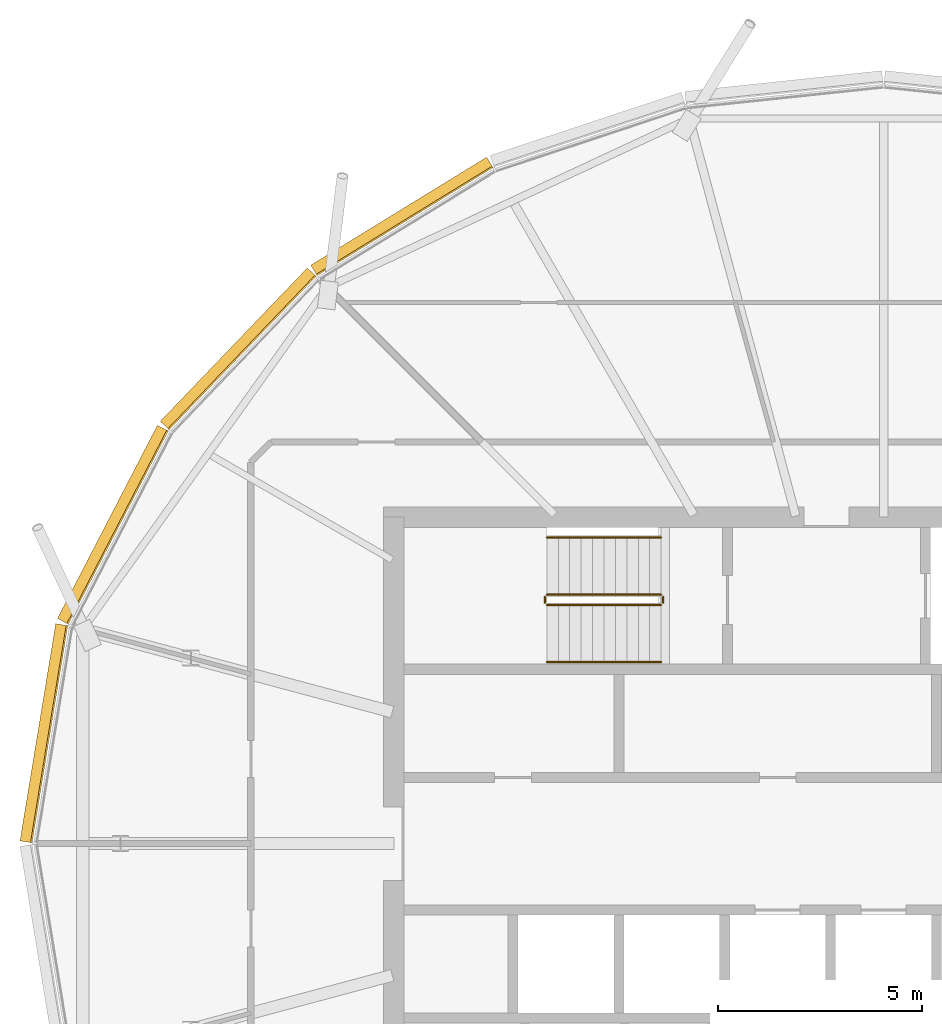
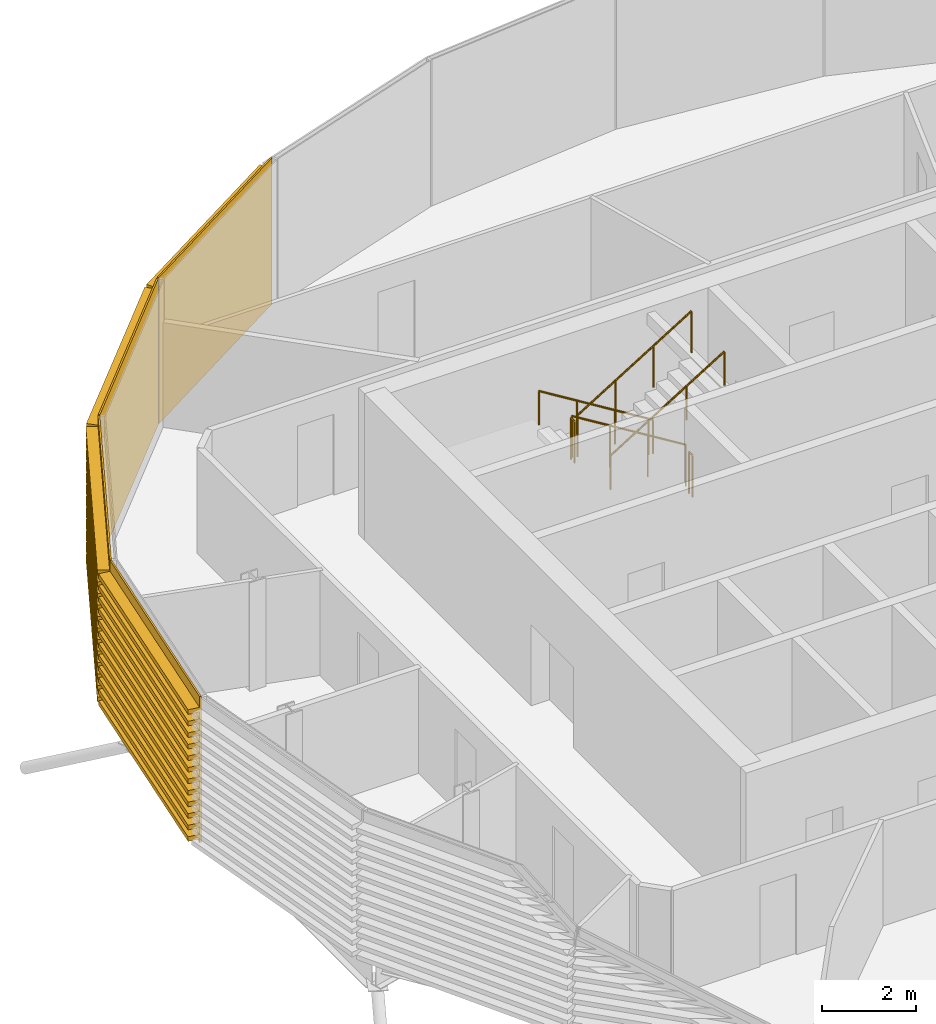
# One storey, part 32 of 35: 6 railings, 4 coverings.
"""IFC4 building model written with IfcOpenShell, lengths in metres."""

import ifcopenshell
import ifcopenshell.guid

model = None  # the IFC model being written
_history = None  # IfcOwnerHistory: only IFC2X3 demands one
_inside = {}  # id of a spatial element -> (the spatial element, [elements in it])
_under = {}  # id of a project, library or spatial element -> (it, [spatial elements below it])
_declared = {}  # id of a project -> (the project, [libraries it declares])
_typed = {}  # id of a type object -> (the type object, [elements of that type])
_made_of = {}  # id of a material, layer set ... -> (it, [elements and type objects made of it])


def new_model(schema):
    """Start an empty IFC model of exactly this schema.

    Asked for "IFC4X3", IfcOpenShell would pick the latest addendum, in which some entities
    have other attributes; the version numbers below select the first issue.
    IFC2X3 requires an IfcOwnerHistory on every rooted entity: one is made here for all.
    """
    global model, _history
    if schema == "IFC4X3":
        model = ifcopenshell.file(schema_version=(4, 3, 0, 0))
    else:
        model = ifcopenshell.file(schema=schema)
    _inside.clear()
    _under.clear()
    _declared.clear()
    _typed.clear()
    _made_of.clear()
    _history = None
    if model.schema == "IFC2X3":
        org = make("IfcOrganization", Name="unknown")
        user = make(
            "IfcPersonAndOrganization",
            ThePerson=make("IfcPerson", FamilyName="unknown"),
            TheOrganization=org,
        )
        app = make(
            "IfcApplication",
            ApplicationDeveloper=org,
            Version="unknown",
            ApplicationFullName="unknown",
            ApplicationIdentifier="unknown",
        )
        _history = make(
            "IfcOwnerHistory",
            OwningUser=user,
            OwningApplication=app,
            ChangeAction="ADDED",
            CreationDate=0,
        )
    return model


def make(cls, **values):
    """One entity of the class cls with the attributes given. An attribute that is None is left unset."""
    return model.create_entity(
        cls, **{name: value for name, value in values.items() if value is not None}
    )


def rooted(cls, **values):
    """An entity with a GlobalId (a new one), such as an element, a storey or a relation."""
    return make(cls, GlobalId=ifcopenshell.guid.new(), OwnerHistory=_history, **values)


def si_unit(unit_type, name, prefix=None):
    """IfcSIUnit, for example si_unit("LENGTHUNIT", "METRE", prefix="MILLI")."""
    return make("IfcSIUnit", UnitType=unit_type, Prefix=prefix, Name=name)


def assignment(units):
    """IfcUnitAssignment: the units of a project."""
    return None if units is None else make("IfcUnitAssignment", Units=units)


def point(xyz):
    """IfcCartesianPoint."""
    return None if xyz is None else make("IfcCartesianPoint", Coordinates=xyz)


def direction(xyz):
    """IfcDirection."""
    return None if xyz is None else make("IfcDirection", DirectionRatios=xyz)


def frame(location, z_axis=None, x_axis=None):
    """IfcAxis2Placement3D, a coordinate frame: its origin and axes. An axis left out is left unset."""
    return make(
        "IfcAxis2Placement3D",
        Location=point(location),
        Axis=direction(z_axis),
        RefDirection=direction(x_axis),
    )


def frame_2d(location, x_axis=None):
    """IfcAxis2Placement2D, a coordinate frame in the plane: its origin and x axis."""
    return make(
        "IfcAxis2Placement2D", Location=point(location), RefDirection=direction(x_axis)
    )


def origin():
    """The frame at (0, 0, 0) with its axes left unset."""
    return frame((0.0, 0.0, 0.0))


def origin_2d():
    """The frame at (0, 0) in the plane with its x axis left unset."""
    return frame_2d((0.0, 0.0))


def place(relative_to, where):
    """IfcLocalPlacement: puts the frame where relative to a parent placement (None: the world)."""
    return make(
        "IfcLocalPlacement", PlacementRelTo=relative_to, RelativePlacement=where
    )


def context(
    kind, dimensions, precision=None, world=None, true_north=None, identifier=None
):
    """IfcGeometricRepresentationContext, for example the 3D "Model" context."""
    return make(
        "IfcGeometricRepresentationContext",
        ContextIdentifier=identifier,
        ContextType=kind,
        CoordinateSpaceDimension=dimensions,
        Precision=precision,
        WorldCoordinateSystem=world,
        TrueNorth=true_north,
    )


def subcontext(parent, identifier, kind, view, scale=None):
    """IfcGeometricRepresentationSubContext, for example "Body" below "Model"."""
    return make(
        "IfcGeometricRepresentationSubContext",
        ContextIdentifier=identifier,
        ContextType=kind,
        ParentContext=parent,
        TargetScale=scale,
        TargetView=view,
    )


def project(units=None, contexts=None):
    """IfcProject with its units and contexts."""
    return rooted(
        "IfcProject",
        Name="project",
        RepresentationContexts=contexts,
        UnitsInContext=assignment(units),
    )


def spatial(cls, under=None, at=None, **own):
    """A site, building, storey or space (cls), placed at a placement, below another one or the project."""
    s = rooted(cls, ObjectPlacement=at, **own)
    if under is not None:
        _under.setdefault(under.id(), (under, []))[1].append(s)
    return s


def polyline(points):
    """IfcPolyline through the points."""
    return make("IfcPolyline", Points=[point(p) for p in points])


def profile(cls, at=None, kind="AREA", **sizes):
    """A parametric profile (cls). Its sizes go by their IFC names, for example OverallWidth=200.0."""
    return make(cls, ProfileType=kind, Position=at, **sizes)


def circle(**sizes):
    """IfcCircleProfileDef."""
    return profile("IfcCircleProfileDef", **sizes)


def outline(outer, holes=None, kind="AREA"):
    """IfcArbitraryClosedProfileDef: a profile drawn as a closed curve; with holes, ...WithVoids."""
    if holes is None:
        return make("IfcArbitraryClosedProfileDef", ProfileType=kind, OuterCurve=outer)
    return make(
        "IfcArbitraryProfileDefWithVoids",
        ProfileType=kind,
        OuterCurve=outer,
        InnerCurves=holes,
    )


def extrude(swept, where, along, depth):
    """IfcExtrudedAreaSolid: the profile swept, set in the frame where, extruded along a direction by depth."""
    return make(
        "IfcExtrudedAreaSolid",
        SweptArea=swept,
        Position=where,
        ExtrudedDirection=direction(along),
        Depth=depth,
    )


def shape(context_of_items, identifier, shape_type, items):
    """IfcShapeRepresentation: the items that make up one representation, for example the "Body"."""
    return make(
        "IfcShapeRepresentation",
        ContextOfItems=context_of_items,
        RepresentationIdentifier=identifier,
        RepresentationType=shape_type,
        Items=items,
    )


def material(Name=None, Category=None):
    """IfcMaterial."""
    return make("IfcMaterial", Name=Name, Category=Category)


def material_profile(
    of_material, cross_section, Name=None, Category=None, Priority=None
):
    """IfcMaterialProfile: a cross section and its material."""
    return make(
        "IfcMaterialProfile",
        Name=Name,
        Material=of_material,
        Profile=cross_section,
        Priority=Priority,
        Category=Category,
    )


def profile_set(profiles, Name=None, composite=None):
    """IfcMaterialProfileSet."""
    return make(
        "IfcMaterialProfileSet",
        Name=Name,
        MaterialProfiles=profiles,
        CompositeProfile=composite,
    )


def made_of(thing, what):
    """Note that an element or type object is made of a material, layer set ...; save() writes the relation."""
    if what is not None:
        _made_of.setdefault(what.id(), (what, []))[1].append(thing)
    return thing


def type_object(cls, material=None, **own):
    """A type object (cls), such as IfcWallType, which elements share."""
    return made_of(rooted(cls, **own), material)


def element(
    cls,
    number,
    at=None,
    inside=None,
    cuts=None,
    type_object=None,
    material=None,
    context=None,
    identifier="Body",
    shape_type=None,
    held_by="IfcProductDefinitionShape",
    body=None,
    shapes=None,
    **own,
):
    """One element of the class cls, such as IfcWall. Its Tag is "e" and its number.

    at: its placement. inside: the storey or other place that contains it. cuts: it is an
    opening in that element (IfcRelVoidsElement). A single representation is given by context,
    identifier, shape_type and body (its items); several are given by shapes. held_by: the class
    of the entity that holds the representations. save() writes the other relations.
    """
    e = rooted(cls, Tag="e%d" % number, ObjectPlacement=at, **own)
    if body is not None:
        shapes = [shape(context, identifier, shape_type, body)]
    if shapes is not None:
        e.Representation = make(held_by, Representations=shapes)
    if inside is not None:
        _inside.setdefault(inside.id(), (inside, []))[1].append(e)
    if cuts is not None:
        rooted(
            "IfcRelVoidsElement", RelatingBuildingElement=cuts, RelatedOpeningElement=e
        )
    if type_object is not None:
        _typed.setdefault(type_object.id(), (type_object, []))[1].append(e)
    return made_of(e, material)


def aggregate(whole, parts):
    """IfcRelAggregates: a whole, such as a stair, and the parts it consists of."""
    return rooted("IfcRelAggregates", RelatingObject=whole, RelatedObjects=parts)


def save(model, path):
    """Write the relations noted so far, then the file.

    IfcRelAggregates (storeys below a building ...), IfcRelContainedInSpatialStructure (elements
    in a storey), IfcRelDefinesByType, IfcRelAssociatesMaterial and IfcRelDeclares: one each for
    every whole, place, type object, material and project.
    """
    for whole, parts in _under.values():
        aggregate(whole, parts)
    for where, things in _inside.values():
        rooted(
            "IfcRelContainedInSpatialStructure",
            RelatedElements=things,
            RelatingStructure=where,
        )
    for kind, things in _typed.values():
        rooted("IfcRelDefinesByType", RelatedObjects=things, RelatingType=kind)
    for what, things in _made_of.values():
        rooted("IfcRelAssociatesMaterial", RelatedObjects=things, RelatingMaterial=what)
    for by, libraries in _declared.values():
        rooted("IfcRelDeclares", RelatingContext=by, RelatedDefinitions=libraries)
    model.write(path)


model = new_model("IFC4")

# Units and contexts
model_context = context("Model", 3, precision=1e-05, world=origin(), true_north=direction((0.0, 1.0)))
body_context = subcontext(model_context, "Body", "Model", "MODEL_VIEW")
ifc_project = project(units=[si_unit("LENGTHUNIT", "METRE"), si_unit("AREAUNIT", "SQUARE_METRE"), si_unit("VOLUMEUNIT", "CUBIC_METRE"), si_unit("PLANEANGLEUNIT", "RADIAN"), si_unit("MASSUNIT", "GRAM", prefix="KILO")], contexts=[model_context])

# Site, building, storey
site_placement = place(None, origin())
site = spatial("IfcSite", under=ifc_project, at=site_placement, CompositionType="ELEMENT")
building_placement = place(site_placement, origin())
building = spatial("IfcBuilding", under=site, at=building_placement, Name="Rimbun Link Towers", CompositionType="ELEMENT")
storey_placement = place(building_placement, frame((0.0, 0.0, 229.5)))
storey = spatial("IfcBuildingStorey", under=building, at=storey_placement, Name="L56", CompositionType="ELEMENT", Elevation=229.5)

# Railings
ifc_material_1 = material(Name="Stainless steel grade 316", Category="steel")
railing_type_1 = type_object("IfcRailingType", Name="Stair guard", PredefinedType="GUARDRAIL", material=ifc_material_1)
railing_1_placement = place(storey_placement, frame((-37.199951171875, 6.10009765625, 0.172607421875)))
element("IfcRailing", 1, at=railing_1_placement, inside=storey, type_object=railing_type_1, Name="L56 ST1 stair guard 1", PredefinedType="GUARDRAIL", context=body_context, shape_type="SweptSolid", body=[
    extrude(circle(Radius=0.02392578125, at=origin_2d()), frame((0.0, 0.0, 1.076171875), z_axis=(-0.851089632645, 0.0, 0.525020415988), x_axis=(0.0, -1.0, 0.0)), (0.0, 0.0, 1.0), 3.2900390625),
    extrude(circle(Radius=0.02099609375, at=origin_2d()), origin(), (0.0, 0.0, 1.0), 1.052001953125),
    extrude(circle(Radius=0.02099609375, at=origin_2d()), frame((-0.933349609375, 0.0, 0.57568359375)), (0.0, 0.0, 1.0), 1.052001953125),
    extrude(circle(Radius=0.02099609375, at=origin_2d()), frame((-1.86669921875, 0.0, 1.151611328125)), (0.0, 0.0, 1.0), 1.052001953125),
    extrude(circle(Radius=0.02099609375, at=origin_2d()), frame((-2.800048828125, 0.0, 1.727294921875)), (0.0, 0.0, 1.0), 1.052001953125),
])
railing_2_placement = place(storey_placement, frame((-40.050048828125, 6.050048828125, 1.89990234375)))
element("IfcRailing", 2, at=railing_2_placement, inside=storey, type_object=railing_type_1, Name="L56 ST1 stair guard 2", PredefinedType="GUARDRAIL", context=body_context, shape_type="SweptSolid", body=[
    extrude(circle(Radius=0.02392578125, at=origin_2d()), frame((0.0, 0.0, 1.076171875), z_axis=(0.0, -1.0, 0.0), x_axis=(1.0, 0.0, 0.0)), (0.0, 0.0, 1.0), 0.150146484375),
    extrude(circle(Radius=0.02099609375, at=origin_2d()), origin(), (0.0, 0.0, 1.0), 1.052001953125),
    extrude(circle(Radius=0.02099609375, at=origin_2d()), frame((0.0, -0.150146484375, 0.0)), (0.0, 0.0, 1.0), 1.052001953125),
])
railing_3_placement = place(storey_placement, frame((-40.0, 5.85009765625, 2.07275390625)))
element("IfcRailing", 3, at=railing_3_placement, inside=storey, type_object=railing_type_1, Name="L56 ST1 stair guard 3", PredefinedType="GUARDRAIL", context=body_context, shape_type="SweptSolid", body=[
    extrude(circle(Radius=0.02392578125, at=origin_2d()), frame((0.0, 0.0, 1.076171875), z_axis=(0.851089632645, 0.0, 0.525020415988), x_axis=(0.0, 1.0, 0.0)), (0.0, 0.0, 1.0), 3.2900390625),
    extrude(circle(Radius=0.02099609375, at=origin_2d()), origin(), (0.0, 0.0, 1.0), 1.052001953125),
    extrude(circle(Radius=0.02099609375, at=origin_2d()), frame((0.933349609375, 0.0, 0.57568359375)), (0.0, 0.0, 1.0), 1.052001953125),
    extrude(circle(Radius=0.02099609375, at=origin_2d()), frame((1.86669921875, 0.0, 1.151611328125)), (0.0, 0.0, 1.0), 1.052001953125),
    extrude(circle(Radius=0.02099609375, at=origin_2d()), frame((2.800048828125, 0.0, 1.727294921875)), (0.0, 0.0, 1.0), 1.052001953125),
])
railing_4_placement = place(storey_placement, frame((-37.14990234375, 6.050048828125, 0.0)))
element("IfcRailing", 4, at=railing_4_placement, inside=storey, type_object=railing_type_1, Name="L56 ST1 stair guard 4", PredefinedType="GUARDRAIL", context=body_context, shape_type="SweptSolid", body=[
    extrude(circle(Radius=0.02392578125, at=origin_2d()), frame((0.0, 0.0, 1.076171875), z_axis=(0.0, -1.0, 0.0), x_axis=(1.0, 0.0, 0.0)), (0.0, 0.0, 1.0), 0.150146484375),
    extrude(circle(Radius=0.02099609375, at=origin_2d()), origin(), (0.0, 0.0, 1.0), 1.052001953125),
    extrude(circle(Radius=0.02099609375, at=origin_2d()), frame((0.0, -0.150146484375, 0.0)), (0.0, 0.0, 1.0), 1.052001953125),
])
ifc_material_2 = material(Name="Stainless steel grade 316", Category="steel")
railing_type_2 = type_object("IfcRailingType", Name="Stair handrail", PredefinedType="HANDRAIL", material=ifc_material_2)
railing_5_placement = place(storey_placement, frame((-37.199951171875, 7.5, 0.172607421875)))
element("IfcRailing", 5, at=railing_5_placement, inside=storey, type_object=railing_type_2, Name="L56 ST1 stair handrail 1", PredefinedType="HANDRAIL", context=body_context, shape_type="SweptSolid", body=[
    extrude(circle(Radius=0.02392578125, at=origin_2d()), frame((0.0, 0.0, 0.8759765625), z_axis=(-0.851089632645, 0.0, 0.525020415988), x_axis=(0.0, -1.0, 0.0)), (0.0, 0.0, 1.0), 3.2900390625),
    extrude(circle(Radius=0.02099609375, at=origin_2d()), origin(), (0.0, 0.0, 1.0), 0.851806640625),
    extrude(circle(Radius=0.02099609375, at=origin_2d()), frame((-0.933349609375, 0.0, 0.57568359375)), (0.0, 0.0, 1.0), 0.851806640625),
    extrude(circle(Radius=0.02099609375, at=origin_2d()), frame((-1.86669921875, 0.0, 1.151611328125)), (0.0, 0.0, 1.0), 0.851806640625),
    extrude(circle(Radius=0.02099609375, at=origin_2d()), frame((-2.800048828125, 0.0, 1.727294921875)), (0.0, 0.0, 1.0), 0.851806640625),
])
railing_6_placement = place(storey_placement, frame((-40.0, 4.449951171875, 2.07275390625)))
element("IfcRailing", 6, at=railing_6_placement, inside=storey, type_object=railing_type_2, Name="L56 ST1 stair handrail 2", PredefinedType="HANDRAIL", context=body_context, shape_type="SweptSolid", body=[
    extrude(circle(Radius=0.02392578125, at=origin_2d()), frame((0.0, 0.0, 0.8759765625), z_axis=(0.851089632645, 0.0, 0.525020415988), x_axis=(0.0, 1.0, 0.0)), (0.0, 0.0, 1.0), 3.2900390625),
    extrude(circle(Radius=0.02099609375, at=origin_2d()), origin(), (0.0, 0.0, 1.0), 0.851806640625),
    extrude(circle(Radius=0.02099609375, at=origin_2d()), frame((0.933349609375, 0.0, 0.57568359375)), (0.0, 0.0, 1.0), 0.851806640625),
    extrude(circle(Radius=0.02099609375, at=origin_2d()), frame((1.86669921875, 0.0, 1.151611328125)), (0.0, 0.0, 1.0), 0.851806640625),
    extrude(circle(Radius=0.02099609375, at=origin_2d()), frame((2.800048828125, 0.0, 1.727294921875)), (0.0, 0.0, 1.0), 0.851806640625),
])

# Coverings
ifc_material_3 = material(Name="Terracotta", Category="masonry")
ifc_material_profile = material_profile(ifc_material_3, outline(polyline([(0.123046875, 0.0), (0.1630859375, 0.0), (0.1630859375, 0.10009765625), (0.423095703125, 0.10009765625), (0.423095703125, 0.219970703125), (0.1630859375, 0.219970703125), (0.1630859375, 0.39990234375), (0.423095703125, 0.39990234375), (0.423095703125, 0.52001953125), (0.1630859375, 0.52001953125), (0.1630859375, 0.699951171875), (0.423095703125, 0.699951171875), (0.423095703125, 0.820068359375), (0.1630859375, 0.820068359375), (0.1630859375, 1.0), (0.423095703125, 1.0), (0.423095703125, 1.1201171875), (0.1630859375, 1.1201171875), (0.1630859375, 1.300048828125), (0.423095703125, 1.300048828125), (0.423095703125, 1.419921875), (0.1630859375, 1.419921875), (0.1630859375, 1.60009765625), (0.423095703125, 1.60009765625), (0.423095703125, 1.719970703125), (0.1630859375, 1.719970703125), (0.1630859375, 1.89990234375), (0.423095703125, 1.89990234375), (0.423095703125, 2.02001953125), (0.1630859375, 2.02001953125), (0.1630859375, 2.199951171875), (0.423095703125, 2.199951171875), (0.423095703125, 2.320068359375), (0.1630859375, 2.320068359375), (0.1630859375, 2.5), (0.423095703125, 2.5), (0.423095703125, 2.6201171875), (0.1630859375, 2.6201171875), (0.1630859375, 2.800048828125), (0.423095703125, 2.800048828125), (0.423095703125, 2.919921875), (0.1630859375, 2.919921875), (0.1630859375, 3.10009765625), (0.423095703125, 3.10009765625), (0.423095703125, 3.219970703125), (0.1630859375, 3.219970703125), (0.1630859375, 3.39990234375), (0.423095703125, 3.39990234375), (0.423095703125, 3.52001953125), (0.1630859375, 3.52001953125), (0.1630859375, 3.800048828125), (0.123046875, 3.800048828125), (0.123046875, 0.0)])), Name="BAGUETTE 120X300")
ifc_profile_set = profile_set([ifc_material_profile], Name="Terracotta")
covering_type = type_object("IfcCoveringType", Name="TERRACOTTA BAGUETTE 120X300 H3800", PredefinedType="CLADDING", material=ifc_profile_set)
covering_1_placement = place(storey_placement, frame((-45.56494140625, 13.81494140625, 0.0), z_axis=(0.852171603276, 0.523262418458, 0.0), x_axis=(-0.523262418458, 0.852171603276, 0.0)))
element("IfcCovering", 7, at=covering_1_placement, inside=storey, type_object=covering_type, Name="TERRACOTTA BAGUETTE", PredefinedType="CLADDING", context=body_context, shape_type="SweptSolid", body=[
    extrude(outline(polyline([(0.123046875, 0.0), (0.1630859375, 0.0), (0.1630859375, 0.10009765625), (0.423095703125, 0.10009765625), (0.423095703125, 0.219970703125), (0.1630859375, 0.219970703125), (0.1630859375, 0.39990234375), (0.423095703125, 0.39990234375), (0.423095703125, 0.52001953125), (0.1630859375, 0.52001953125), (0.1630859375, 0.699951171875), (0.423095703125, 0.699951171875), (0.423095703125, 0.820068359375), (0.1630859375, 0.820068359375), (0.1630859375, 1.0), (0.423095703125, 1.0), (0.423095703125, 1.1201171875), (0.1630859375, 1.1201171875), (0.1630859375, 1.300048828125), (0.423095703125, 1.300048828125), (0.423095703125, 1.419921875), (0.1630859375, 1.419921875), (0.1630859375, 1.60009765625), (0.423095703125, 1.60009765625), (0.423095703125, 1.719970703125), (0.1630859375, 1.719970703125), (0.1630859375, 1.89990234375), (0.423095703125, 1.89990234375), (0.423095703125, 2.02001953125), (0.1630859375, 2.02001953125), (0.1630859375, 2.199951171875), (0.423095703125, 2.199951171875), (0.423095703125, 2.320068359375), (0.1630859375, 2.320068359375), (0.1630859375, 2.5), (0.423095703125, 2.5), (0.423095703125, 2.6201171875), (0.1630859375, 2.6201171875), (0.1630859375, 2.800048828125), (0.423095703125, 2.800048828125), (0.423095703125, 2.919921875), (0.1630859375, 2.919921875), (0.1630859375, 3.10009765625), (0.423095703125, 3.10009765625), (0.423095703125, 3.219970703125), (0.1630859375, 3.219970703125), (0.1630859375, 3.39990234375), (0.423095703125, 3.39990234375), (0.423095703125, 3.52001953125), (0.1630859375, 3.52001953125), (0.1630859375, 3.800048828125), (0.123046875, 3.800048828125), (0.123046875, 0.0)])), origin(), (0.0, 0.0, 1.0), 5.05859375),
])
covering_2_placement = place(storey_placement, frame((-49.168212890625, 10.056396484375, 0.0), z_axis=(0.692038763071, 0.72186033996, 0.0), x_axis=(-0.72186033996, 0.692038763071, 0.0)))
element("IfcCovering", 8, at=covering_2_placement, inside=storey, type_object=covering_type, Name="TERRACOTTA BAGUETTE", PredefinedType="CLADDING", context=body_context, shape_type="SweptSolid", body=[
    extrude(outline(polyline([(0.123046875, 0.0), (0.1630859375, 0.0), (0.1630859375, 0.10009765625), (0.423095703125, 0.10009765625), (0.423095703125, 0.219970703125), (0.1630859375, 0.219970703125), (0.1630859375, 0.39990234375), (0.423095703125, 0.39990234375), (0.423095703125, 0.52001953125), (0.1630859375, 0.52001953125), (0.1630859375, 0.699951171875), (0.423095703125, 0.699951171875), (0.423095703125, 0.820068359375), (0.1630859375, 0.820068359375), (0.1630859375, 1.0), (0.423095703125, 1.0), (0.423095703125, 1.1201171875), (0.1630859375, 1.1201171875), (0.1630859375, 1.300048828125), (0.423095703125, 1.300048828125), (0.423095703125, 1.419921875), (0.1630859375, 1.419921875), (0.1630859375, 1.60009765625), (0.423095703125, 1.60009765625), (0.423095703125, 1.719970703125), (0.1630859375, 1.719970703125), (0.1630859375, 1.89990234375), (0.423095703125, 1.89990234375), (0.423095703125, 2.02001953125), (0.1630859375, 2.02001953125), (0.1630859375, 2.199951171875), (0.423095703125, 2.199951171875), (0.423095703125, 2.320068359375), (0.1630859375, 2.320068359375), (0.1630859375, 2.5), (0.423095703125, 2.5), (0.423095703125, 2.6201171875), (0.1630859375, 2.6201171875), (0.1630859375, 2.800048828125), (0.423095703125, 2.800048828125), (0.423095703125, 2.919921875), (0.1630859375, 2.919921875), (0.1630859375, 3.10009765625), (0.423095703125, 3.10009765625), (0.423095703125, 3.219970703125), (0.1630859375, 3.219970703125), (0.1630859375, 3.39990234375), (0.423095703125, 3.39990234375), (0.423095703125, 3.52001953125), (0.1630859375, 3.52001953125), (0.1630859375, 3.800048828125), (0.123046875, 3.800048828125), (0.123046875, 0.0)])), origin(), (0.0, 0.0, 1.0), 5.206787109375),
])
covering_3_placement = place(storey_placement, frame((-51.6171875, 5.323486328125, 0.0), z_axis=(0.459558764899, 0.888147364802, 0.0), x_axis=(-0.888147364802, 0.459558764899, 0.0)))
element("IfcCovering", 9, at=covering_3_placement, inside=storey, type_object=covering_type, Name="TERRACOTTA BAGUETTE", PredefinedType="CLADDING", context=body_context, shape_type="SweptSolid", body=[
    extrude(outline(polyline([(0.123046875, 0.0), (0.1630859375, 0.0), (0.1630859375, 0.10009765625), (0.423095703125, 0.10009765625), (0.423095703125, 0.219970703125), (0.1630859375, 0.219970703125), (0.1630859375, 0.39990234375), (0.423095703125, 0.39990234375), (0.423095703125, 0.52001953125), (0.1630859375, 0.52001953125), (0.1630859375, 0.699951171875), (0.423095703125, 0.699951171875), (0.423095703125, 0.820068359375), (0.1630859375, 0.820068359375), (0.1630859375, 1.0), (0.423095703125, 1.0), (0.423095703125, 1.1201171875), (0.1630859375, 1.1201171875), (0.1630859375, 1.300048828125), (0.423095703125, 1.300048828125), (0.423095703125, 1.419921875), (0.1630859375, 1.419921875), (0.1630859375, 1.60009765625), (0.423095703125, 1.60009765625), (0.423095703125, 1.719970703125), (0.1630859375, 1.719970703125), (0.1630859375, 1.89990234375), (0.423095703125, 1.89990234375), (0.423095703125, 2.02001953125), (0.1630859375, 2.02001953125), (0.1630859375, 2.199951171875), (0.423095703125, 2.199951171875), (0.423095703125, 2.320068359375), (0.1630859375, 2.320068359375), (0.1630859375, 2.5), (0.423095703125, 2.5), (0.423095703125, 2.6201171875), (0.1630859375, 2.6201171875), (0.1630859375, 2.800048828125), (0.423095703125, 2.800048828125), (0.423095703125, 2.919921875), (0.1630859375, 2.919921875), (0.1630859375, 3.10009765625), (0.423095703125, 3.10009765625), (0.423095703125, 3.219970703125), (0.1630859375, 3.219970703125), (0.1630859375, 3.39990234375), (0.423095703125, 3.39990234375), (0.423095703125, 3.52001953125), (0.1630859375, 3.52001953125), (0.1630859375, 3.800048828125), (0.123046875, 3.800048828125), (0.123046875, 0.0)])), origin(), (0.0, 0.0, 1.0), 5.328857421875),
])
covering_4_placement = place(storey_placement, frame((-52.49267578125, 0.0, 0.0), z_axis=(0.162277824196, 0.986745107804, 0.0), x_axis=(-0.986745107804, 0.162277824196, 0.0)))
element("IfcCovering", 10, at=covering_4_placement, inside=storey, type_object=covering_type, Name="TERRACOTTA BAGUETTE", PredefinedType="CLADDING", context=body_context, shape_type="SweptSolid", body=[
    extrude(outline(polyline([(0.123046875, 0.0), (0.1630859375, 0.0), (0.1630859375, 0.10009765625), (0.423095703125, 0.10009765625), (0.423095703125, 0.219970703125), (0.1630859375, 0.219970703125), (0.1630859375, 0.39990234375), (0.423095703125, 0.39990234375), (0.423095703125, 0.52001953125), (0.1630859375, 0.52001953125), (0.1630859375, 0.699951171875), (0.423095703125, 0.699951171875), (0.423095703125, 0.820068359375), (0.1630859375, 0.820068359375), (0.1630859375, 1.0), (0.423095703125, 1.0), (0.423095703125, 1.1201171875), (0.1630859375, 1.1201171875), (0.1630859375, 1.300048828125), (0.423095703125, 1.300048828125), (0.423095703125, 1.419921875), (0.1630859375, 1.419921875), (0.1630859375, 1.60009765625), (0.423095703125, 1.60009765625), (0.423095703125, 1.719970703125), (0.1630859375, 1.719970703125), (0.1630859375, 1.89990234375), (0.423095703125, 1.89990234375), (0.423095703125, 2.02001953125), (0.1630859375, 2.02001953125), (0.1630859375, 2.199951171875), (0.423095703125, 2.199951171875), (0.423095703125, 2.320068359375), (0.1630859375, 2.320068359375), (0.1630859375, 2.5), (0.423095703125, 2.5), (0.423095703125, 2.6201171875), (0.1630859375, 2.6201171875), (0.1630859375, 2.800048828125), (0.423095703125, 2.800048828125), (0.423095703125, 2.919921875), (0.1630859375, 2.919921875), (0.1630859375, 3.10009765625), (0.423095703125, 3.10009765625), (0.423095703125, 3.219970703125), (0.1630859375, 3.219970703125), (0.1630859375, 3.39990234375), (0.423095703125, 3.39990234375), (0.423095703125, 3.52001953125), (0.1630859375, 3.52001953125), (0.1630859375, 3.800048828125), (0.123046875, 3.800048828125), (0.123046875, 0.0)])), origin(), (0.0, 0.0, 1.0), 5.39501953125),
])

save(model, "model.ifc")
